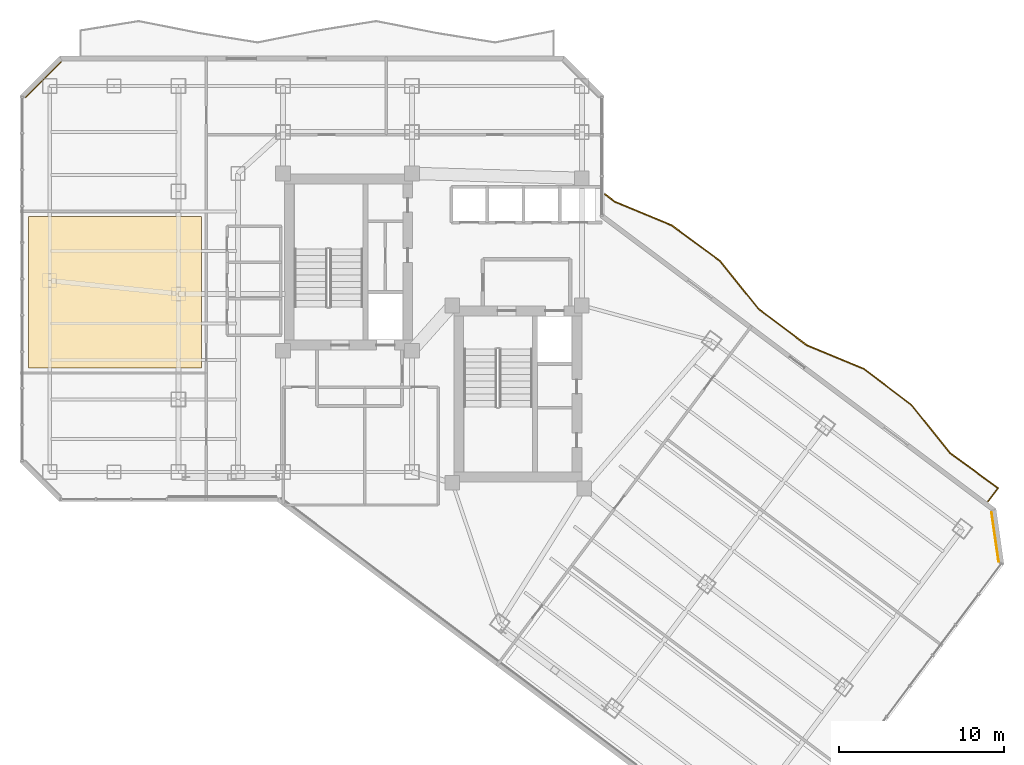
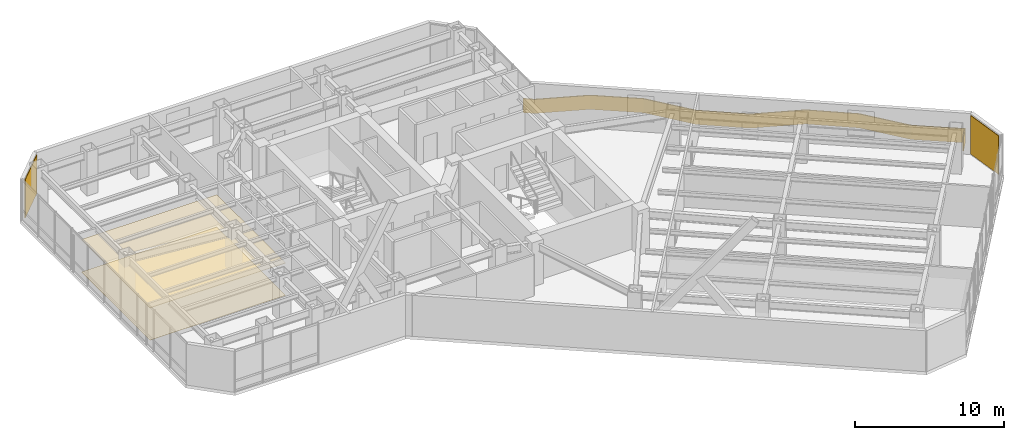
# One storey, part 27 of 29: 4 coverings, 1 railing.
"""IFC4 building model written with IfcOpenShell, lengths in metres."""

from ifc_helpers import new_model, si_unit, direction, frame, origin, origin_2d, place, context, subcontext, project, spatial, polyline, rectangle, outline, extrude, material, layer, layer_set, type_object, element, save


model = new_model("IFC4")

# Units and contexts
model_context = context("Model", 3, precision=1e-05, world=origin(), true_north=direction((0.0, 1.0)))
body_context = subcontext(model_context, "Body", "Model", "MODEL_VIEW")
ifc_project = project(units=[si_unit("LENGTHUNIT", "METRE"), si_unit("AREAUNIT", "SQUARE_METRE"), si_unit("VOLUMEUNIT", "CUBIC_METRE"), si_unit("PLANEANGLEUNIT", "RADIAN"), si_unit("MASSUNIT", "GRAM", prefix="KILO")], contexts=[model_context])

# Site, building, storey
site_placement = place(None, origin())
site = spatial("IfcSite", under=ifc_project, at=site_placement, CompositionType="ELEMENT")
building_placement = place(site_placement, origin())
building = spatial("IfcBuilding", under=site, at=building_placement, Name="Hatsunagi Terrace Concourse", CompositionType="ELEMENT")
storey_placement = place(building_placement, frame((0.0, 0.0, 119.25)))
storey = spatial("IfcBuildingStorey", under=building, at=storey_placement, Name="L31", CompositionType="ELEMENT", Elevation=119.25)

# Railing
ifc_material_1 = material(Name="Laminated Glass and Stainless Steel Guard", Category="steel")
ifc_layer_1 = layer(ifc_material_1, 0.070068359375)
ifc_layer_set_1 = layer_set([ifc_layer_1], Name="BalconyGlassGuardRail_1150")
railing_type = type_object("IfcRailingType", Name="BalconyGlassGuardRail_1150", PredefinedType="BALUSTRADE", material=ifc_layer_set_1)
railing_placement = place(storey_placement, origin())
element("IfcRailing", 1, at=railing_placement, inside=storey, type_object=railing_type, Name="Engawa Balcony Guard GRD-01 L31-BSE-1", PredefinedType="BALUSTRADE", context=body_context, shape_type="SweptSolid", body=[
    extrude(outline(polyline([(45.0673828125, 42.07763671875), (45.024658203125, 42.022216796875), (45.623291015625, 41.55859375), (49.085693359375, 40.1171875), (51.99365234375, 37.9755859375), (54.344482421875, 35.0556640625), (57.265380859375, 32.8583984375), (60.728515625, 31.41943359375), (63.603515625, 29.234619140625), (65.95556640625, 26.3134765625), (68.832763671875, 24.216552734375), (68.241943359375, 23.430908203125), (68.298095703125, 23.388916015625), (68.931396484375, 24.2314453125), (66.00439453125, 26.364501953125), (63.652587890625, 29.285400390625), (60.763671875, 31.480712890625), (57.300537109375, 32.919677734375), (54.3935546875, 35.106201171875), (52.04248046875, 38.026611328125), (49.120361328125, 40.1787109375), (45.65869140625, 41.619384765625), (45.0673828125, 42.07763671875)])), origin(), (0.0, 0.0, 1.0), 1.14990234375),
])

# Coverings
ifc_material_2 = material(Name="Hardwood timber", Category="wood")
ifc_layer_2 = layer(ifc_material_2, 0.014892578125)
ifc_layer_set_2 = layer_set([ifc_layer_2], Name="HardwoodTimberFlooring_15")
covering_type_1 = type_object("IfcCoveringType", Name="HardwoodTimberFlooring_15", PredefinedType="FLOORING", material=ifc_layer_set_2)
covering_1_placement = place(storey_placement, origin())
element("IfcCovering", 2, at=covering_1_placement, inside=storey, type_object=covering_type_1, Name="Finished Flooring L31-2", PredefinedType="FLOORING", context=body_context, shape_type="SweptSolid", body=[
    extrude(outline(polyline([(10.1298828125, 31.5), (20.60009765625, 31.5), (20.60009765625, 40.699951171875), (10.1298828125, 40.699951171875), (10.1298828125, 31.5)])), origin(), (0.0, 0.0, 1.0), 0.014892578125),
])
ifc_material_3 = material(Name="Unglazed Warm Terracotta Rainscreen Tile", Category="masonry")
ifc_layer_3 = layer(ifc_material_3, 0.044921875)
ifc_layer_set_3 = layer_set([ifc_layer_3], Name="TerracottaRainscreenCladding_45")
covering_type_2 = type_object("IfcCoveringType", Name="TerracottaRainscreenCladding_45", PredefinedType="CLADDING", material=ifc_layer_set_3)
for number, where, z_axis, x_axis, name in (
    (3, (68.700927734375, 21.258056640625, 0.10009765625), (0.0, 0.0, 1.0), (0.141250262458, -0.989973920543, 0.0), "Terracotta Rainscreen Cladding L31-02"),
    (4, (11.013916015625, 48.986083984375, 0.10009765625), (0.0, 0.0, 1.0), (0.707106781187, 0.707106781187, 0.0), "Terracotta Rainscreen Cladding L31-10"),
):
    element("IfcCovering", number, at=place(storey_placement, frame(where, z_axis=z_axis, x_axis=x_axis)), inside=storey, type_object=covering_type_2, Name=name, PredefinedType="CLADDING", context=body_context, shape_type="SweptSolid", body=[
        extrude(rectangle(XDim=3.0380859375, YDim=0.044921875, at=origin_2d()), origin(), (0.0, 0.0, 1.0), 3.14990234375),
    ])
ifc_material_4 = material(Name="Hardwood timber", Category="wood")
ifc_layer_4 = layer(ifc_material_4, 0.034912109375)
ifc_layer_set_4 = layer_set([ifc_layer_4], Name="TimberBaffleCeiling_35")
covering_type_3 = type_object("IfcCoveringType", Name="TimberBaffleCeiling_35", PredefinedType="CEILING", material=ifc_layer_set_4)
covering_2_placement = place(storey_placement, frame((0.0, 0.0, 2.6298828125)))
element("IfcCovering", 5, at=covering_2_placement, inside=storey, type_object=covering_type_3, Name="Suspended Ceiling L31-2", PredefinedType="CEILING", context=body_context, shape_type="SweptSolid", body=[
    extrude(outline(polyline([(10.1298828125, 31.5), (20.60009765625, 31.5), (20.60009765625, 40.699951171875), (10.1298828125, 40.699951171875), (10.1298828125, 31.5)])), origin(), (0.0, 0.0, 1.0), 0.03515625),
])

save(model, "model.ifc")
